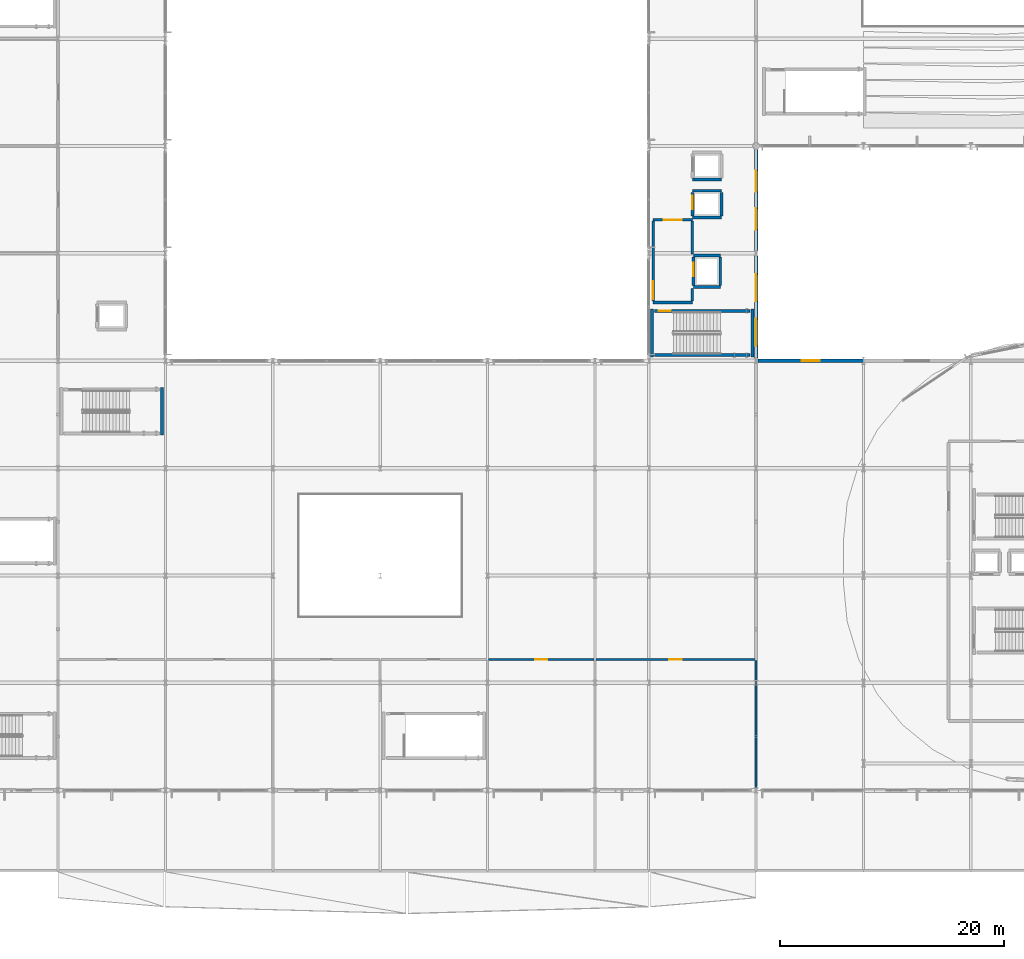
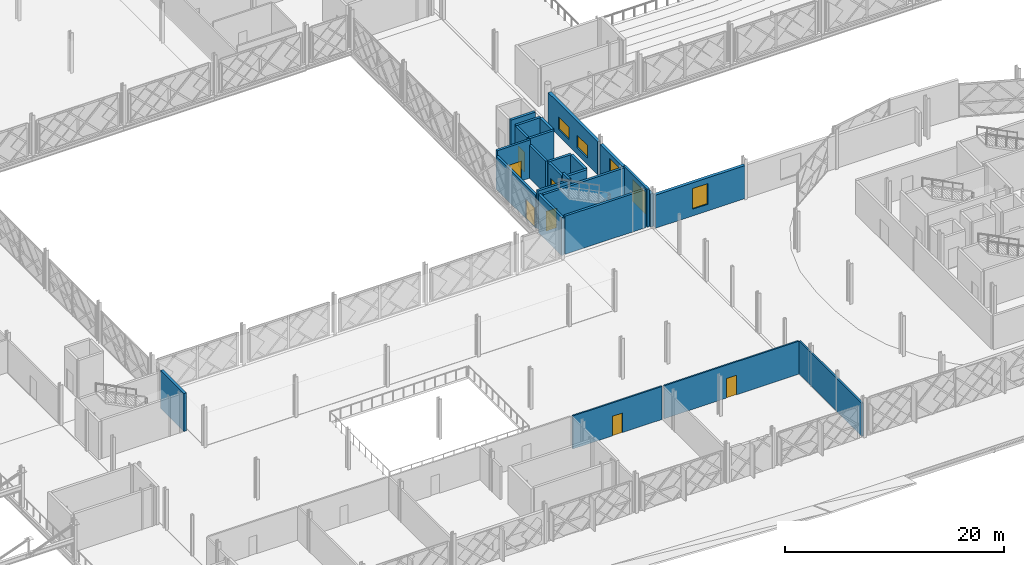
# One storey, part 67 of 101: 25 walls, 7 doors, 5 windows, 12 openings.
"""IFC4 building model written with IfcOpenShell, lengths in metres."""

from ifc_helpers import new_model, si_unit, direction, frame, frame_2d, origin, place, context, subcontext, project, spatial, rectangle, extrude, material, layer, layer_set, type_object, element, fill, save


model = new_model("IFC4")

# Units and contexts
model_context = context("Model", 3, precision=1e-05, world=origin(), true_north=direction((0.0, 1.0)))
body_context = subcontext(model_context, "Body", "Model", "MODEL_VIEW")
ifc_project = project(units=[si_unit("LENGTHUNIT", "METRE"), si_unit("AREAUNIT", "SQUARE_METRE"), si_unit("VOLUMEUNIT", "CUBIC_METRE"), si_unit("PLANEANGLEUNIT", "RADIAN"), si_unit("MASSUNIT", "GRAM", prefix="KILO")], contexts=[model_context])

# Site, building, storey
site_placement = place(None, origin())
site = spatial("IfcSite", under=ifc_project, at=site_placement, CompositionType="ELEMENT")
building_placement = place(site_placement, origin())
building = spatial("IfcBuilding", under=site, at=building_placement, Name="Zevrakil Square Congress Hotel", CompositionType="ELEMENT")
storey_placement = place(building_placement, frame((0.0, 0.0, 5.39990234375)))
storey = spatial("IfcBuildingStorey", under=building, at=storey_placement, Name="L02", CompositionType="ELEMENT", Elevation=5.39990234375)

# Wall
ifc_material_1 = material(Name="Concrete C35/45", Category="concrete")
ifc_layer_1 = layer(ifc_material_1, 0.239990234375)
ifc_layer_set_1 = layer_set([ifc_layer_1], Name="Concrete C35/45")
wall_type_1 = type_object("IfcWallType", Name="WAL-COMP-240", PredefinedType="SOLIDWALL", material=ifc_layer_set_1)
wall_1_placement = place(storey_placement, frame((108.39990234375, 50.800048828125, 0.0), z_axis=(0.0, 0.0, 1.0), x_axis=(1.0, 0.0, 0.0)))
element("IfcWall", 1, at=wall_1_placement, inside=storey, type_object=wall_type_1, Name="L02 interior partition PW-L02-0058", PredefinedType="SOLIDWALL", context=body_context, shape_type="SweptSolid", body=[
    extrude(rectangle(XDim=3.5, YDim=0.239990234375, at=frame_2d((1.75, 0.0))), origin(), (0.0, 0.0, 1.0), 4.239990234375),
])

# Wall, opening, door
wall_2_placement = place(storey_placement, frame((108.39990234375, 50.925048828125, 0.0), z_axis=(0.0, 0.0, 1.0), x_axis=(0.0, 1.0, 0.0)))
wall_2 = element("IfcWall", 2, at=wall_2_placement, inside=storey, type_object=wall_type_1, Name="L02 interior partition PW-L02-0059", PredefinedType="SOLIDWALL", context=body_context, shape_type="SweptSolid", body=[
    extrude(rectangle(XDim=7.14990234375, YDim=0.239990234375, at=frame_2d((3.574951171875, 0.0))), origin(), (0.0, 0.0, 1.0), 3.68505859375),
])
opening_1_placement = place(wall_2_placement, frame((0.159912109375, 0.0, 0.0)))
opening_1 = element("IfcOpeningElement", 3, at=opening_1_placement, cuts=wall_2, Name="Opening FD90-D", PredefinedType="OPENING", context=body_context, shape_type="SweptSolid", body=[
    extrude(rectangle(XDim=1.60009765625, YDim=2.199951171875, at=frame_2d((0.800048828125, 1.10009765625))), frame((0.0, 0.1298828125, 0.0), z_axis=(0.0, -1.0, 0.0), x_axis=(1.0, 0.0, 0.0)), (0.0, 0.0, 1.0), 0.260009765625),
])
ifc_material_2 = material(Name="Steel S355 Double Fire Door", Category="steel")
door_type_1 = type_object("IfcDoorType", Name="DOR-FFLOB-FD90-160", OperationType="NOTDEFINED", PredefinedType="DOOR", material=ifc_material_2)
door_1_placement = place(opening_1_placement, origin())
door_1 = element("IfcDoor", 4, at=door_1_placement, inside=storey, type_object=door_type_1, Name="L02 interior door 20", OperationType="DOUBLE_DOOR_SINGLE_SWING", OverallHeight=2.199951171875, OverallWidth=1.60009765625, PredefinedType="DOOR", context=body_context, shape_type="SweptSolid", body=[
    extrude(rectangle(XDim=1.60009765625, YDim=2.199951171875, at=frame_2d((0.800048828125, 1.10009765625))), frame((0.0, 0.02490234375, 0.0), z_axis=(0.0, -1.0, 0.0), x_axis=(1.0, 0.0, 0.0)), (0.0, 0.0, 1.0), 0.050048828125),
])
fill(opening_1, door_1)

wall_3_placement = place(storey_placement, frame((108.39990234375, 58.199951171875, 0.0), z_axis=(0.0, 0.0, 1.0), x_axis=(1.0, 0.0, 0.0)))
wall_3 = element("IfcWall", 5, at=wall_3_placement, inside=storey, type_object=wall_type_1, Name="L02 interior partition PW-L02-0060", PredefinedType="SOLIDWALL", context=body_context, shape_type="SweptSolid", body=[
    extrude(rectangle(XDim=3.5, YDim=0.239990234375, at=frame_2d((1.75, 0.0))), origin(), (0.0, 0.0, 1.0), 4.239990234375),
])
opening_2_placement = place(wall_3_placement, frame((0.949951171875, 0.0, 0.0)))
opening_2 = element("IfcOpeningElement", 6, at=opening_2_placement, cuts=wall_3, Name="Opening FD90-D", PredefinedType="OPENING", context=body_context, shape_type="SweptSolid", body=[
    extrude(rectangle(XDim=1.60009765625, YDim=2.199951171875, at=frame_2d((0.800048828125, 1.10009765625))), frame((0.0, 0.1298828125, 0.0), z_axis=(0.0, -1.0, 0.0), x_axis=(1.0, 0.0, 0.0)), (0.0, 0.0, 1.0), 0.260009765625),
])
door_2_placement = place(opening_2_placement, origin())
door_2 = element("IfcDoor", 7, at=door_2_placement, inside=storey, type_object=door_type_1, Name="L02 interior door 21", OperationType="DOUBLE_DOOR_SINGLE_SWING", OverallHeight=2.199951171875, OverallWidth=1.60009765625, PredefinedType="DOOR", context=body_context, shape_type="SweptSolid", body=[
    extrude(rectangle(XDim=1.60009765625, YDim=2.199951171875, at=frame_2d((0.800048828125, 1.10009765625))), frame((0.0, 0.02490234375, 0.0), z_axis=(0.0, -1.0, 0.0), x_axis=(1.0, 0.0, 0.0)), (0.0, 0.0, 1.0), 0.050048828125),
])
fill(opening_2, door_2)

# Walls
wall_4_placement = place(storey_placement, frame((111.89990234375, 50.925048828125, 0.0), z_axis=(0.0, 0.0, 1.0), x_axis=(0.0, 1.0, 0.0)))
element("IfcWall", 8, at=wall_4_placement, inside=storey, type_object=wall_type_1, Name="L02 interior partition PW-L02-0061", PredefinedType="SOLIDWALL", context=body_context, shape_type="SweptSolid", body=[
    extrude(rectangle(XDim=1.155029296875, YDim=0.239990234375, at=frame_2d((0.57763671875, 0.0))), origin(), (0.0, 0.0, 1.0), 4.239990234375),
])
wall_5_placement = place(storey_placement, frame((111.89990234375, 55.1201171875, 0.0), z_axis=(0.0, 0.0, 1.0), x_axis=(0.0, 1.0, 0.0)))
element("IfcWall", 9, at=wall_5_placement, inside=storey, type_object=wall_type_1, Name="L02 interior partition PW-L02-0062", PredefinedType="SOLIDWALL", context=body_context, shape_type="SweptSolid", body=[
    extrude(rectangle(XDim=2.954833984375, YDim=0.239990234375, at=frame_2d((1.4775390625, 0.0))), origin(), (0.0, 0.0, 1.0), 3.68505859375),
])

# Wall, opening, door
ifc_material_3 = material(Name="Gypsum Acoustic Stud Partition")
ifc_layer_2 = layer(ifc_material_3, 0.159912109375)
ifc_layer_set_2 = layer_set([ifc_layer_2], Name="Gypsum Acoustic Stud Partition")
wall_type_2 = type_object("IfcWallType", Name="WAL-CORR-160", PredefinedType="PARTITIONING", material=ifc_layer_set_2)
wall_6_placement = place(storey_placement, frame((93.699951171875, 18.89990234375, 0.0), z_axis=(0.0, 0.0, 1.0), x_axis=(1.0, 0.0, 0.0)))
wall_6 = element("IfcWall", 10, at=wall_6_placement, inside=storey, type_object=wall_type_2, Name="L02 interior partition PW-L02-0175", PredefinedType="PARTITIONING", context=body_context, shape_type="SweptSolid", body=[
    extrude(rectangle(XDim=9.400146484375, YDim=0.159912109375, at=frame_2d((4.7001953125, 0.0))), origin(), (0.0, 0.0, 1.0), 3.675048828125),
])
opening_3_placement = place(wall_6_placement, frame((4.179931640625, 0.0, 0.0)))
opening_3 = element("IfcOpeningElement", 11, at=opening_3_placement, cuts=wall_6, Name="Opening ID-15", PredefinedType="OPENING", context=body_context, shape_type="SweptSolid", body=[
    extrude(rectangle(XDim=1.0400390625, YDim=2.179931640625, at=frame_2d((0.52001953125, 1.08984375))), frame((0.0, 0.08984375, 0.0), z_axis=(0.0, -1.0, 0.0), x_axis=(1.0, 0.0, 0.0)), (0.0, 0.0, 1.0), 0.179931640625),
])
ifc_material_4 = material(Name="Acoustic Timber Fire Door", Category="wood")
door_type_2 = type_object("IfcDoorType", Name="DOR-INT-V05", OperationType="NOTDEFINED", PredefinedType="DOOR", material=ifc_material_4)
door_3_placement = place(opening_3_placement, origin())
door_3 = element("IfcDoor", 12, at=door_3_placement, inside=storey, type_object=door_type_2, Name="L02 interior door 73", OperationType="SINGLE_SWING_LEFT", OverallHeight=2.179931640625, OverallWidth=1.0400390625, PredefinedType="DOOR", context=body_context, shape_type="SweptSolid", body=[
    extrude(rectangle(XDim=1.0400390625, YDim=2.179931640625, at=frame_2d((0.52001953125, 1.08984375))), frame((0.0, 0.02490234375, 0.0), z_axis=(0.0, -1.0, 0.0), x_axis=(1.0, 0.0, 0.0)), (0.0, 0.0, 1.0), 0.050048828125),
])
fill(opening_3, door_3)

wall_7_placement = place(storey_placement, frame((103.300048828125, 18.89990234375, 0.0), z_axis=(0.0, 0.0, 1.0), x_axis=(1.0, 0.0, 0.0)))
wall_7 = element("IfcWall", 13, at=wall_7_placement, inside=storey, type_object=wall_type_2, Name="L02 interior partition PW-L02-0177", PredefinedType="PARTITIONING", context=body_context, shape_type="SweptSolid", body=[
    extrude(rectangle(XDim=14.199951171875, YDim=0.159912109375, at=frame_2d((7.10009765625, 0.0))), origin(), (0.0, 0.0, 1.0), 3.675048828125),
])
opening_4_placement = place(wall_7_placement, frame((6.56005859375, 0.0, 0.0)))
opening_4 = element("IfcOpeningElement", 14, at=opening_4_placement, cuts=wall_7, Name="Opening ID-16", PredefinedType="OPENING", context=body_context, shape_type="SweptSolid", body=[
    extrude(rectangle(XDim=1.080078125, YDim=2.179931640625, at=frame_2d((0.5400390625, 1.08984375))), frame((0.0, 0.08984375, 0.0), z_axis=(0.0, -1.0, 0.0), x_axis=(1.0, 0.0, 0.0)), (0.0, 0.0, 1.0), 0.179931640625),
])
ifc_material_5 = material(Name="Acoustic Timber Fire Door", Category="wood")
door_type_3 = type_object("IfcDoorType", Name="DOR-INT-V06", OperationType="NOTDEFINED", PredefinedType="DOOR", material=ifc_material_5)
door_4_placement = place(opening_4_placement, origin())
door_4 = element("IfcDoor", 15, at=door_4_placement, inside=storey, type_object=door_type_3, Name="L02 interior door 74", OperationType="SINGLE_SWING_RIGHT", OverallHeight=2.179931640625, OverallWidth=1.080078125, PredefinedType="DOOR", context=body_context, shape_type="SweptSolid", body=[
    extrude(rectangle(XDim=1.080078125, YDim=2.179931640625, at=frame_2d((0.5400390625, 1.08984375))), frame((0.0, 0.02490234375, 0.0), z_axis=(0.0, -1.0, 0.0), x_axis=(1.0, 0.0, 0.0)), (0.0, 0.0, 1.0), 0.050048828125),
])
fill(opening_4, door_4)

# Wall, opening, window
ifc_material_6 = material(Name="Precast concrete C40/50", Category="concrete")
ifc_layer_3 = layer(ifc_material_6, 0.320068359375)
ifc_layer_set_3 = layer_set([ifc_layer_3], Name="Precast concrete C40/50")
wall_type_3 = type_object("IfcWallType", Name="WAL-EXT-GRC-320", PredefinedType="SOLIDWALL", material=ifc_layer_set_3)
wall_8_placement = place(storey_placement, frame((117.75390625, 45.60009765625, 0.0), z_axis=(0.0, 0.0, 1.0), x_axis=(1.0, 0.0, 0.0)))
wall_8 = element("IfcWall", 16, at=wall_8_placement, inside=storey, type_object=wall_type_3, Name="L02 exterior GRC wall EW-L02-0094", PredefinedType="SOLIDWALL", context=body_context, shape_type="SweptSolid", body=[
    extrude(rectangle(XDim=9.443115234375, YDim=0.320068359375, at=frame_2d((4.7216796875, 0.0))), origin(), (0.0, 0.0, 1.0), 3.68505859375),
])
opening_5_placement = place(wall_8_placement, frame((3.92138671875, 0.0, 0.75)))
opening_5 = element("IfcOpeningElement", 17, at=opening_5_placement, cuts=wall_8, Name="Opening WN-37", PredefinedType="OPENING", context=body_context, shape_type="SweptSolid", body=[
    extrude(rectangle(XDim=1.60009765625, YDim=2.300048828125, at=frame_2d((0.800048828125, 1.14990234375))), frame((0.0, 0.169921875, 0.0), z_axis=(0.0, -1.0, 0.0), x_axis=(1.0, 0.0, 0.0)), (0.0, 0.0, 1.0), 0.340087890625),
])
ifc_material_7 = material(Name="Low-E Solar Control Double Glazing", Category="glass")
window_type_1 = type_object("IfcWindowType", Name="WIN-EXT-37", PartitioningType="SINGLE_PANEL", PredefinedType="WINDOW", material=ifc_material_7)
window_1_placement = place(opening_5_placement, origin())
window_1 = element("IfcWindow", 18, at=window_1_placement, inside=storey, type_object=window_type_1, Name="L02 low-E solar window 81", OverallHeight=2.300048828125, OverallWidth=1.60009765625, PartitioningType="SINGLE_PANEL", PredefinedType="WINDOW", context=body_context, shape_type="SweptSolid", body=[
    extrude(rectangle(XDim=1.60009765625, YDim=2.300048828125, at=frame_2d((0.800048828125, 1.14990234375))), frame((0.0, 0.030029296875, 0.0), z_axis=(0.0, -1.0, 0.0), x_axis=(1.0, 0.0, 0.0)), (0.0, 0.0, 1.0), 0.06005859375),
])
fill(opening_5, window_1)

# Wall, openings, windows
wall_9_placement = place(storey_placement, frame((117.60009765625, 45.8291015625, 0.0), z_axis=(0.0, 0.0, 1.0), x_axis=(0.0, 1.0, 0.0)))
wall_9 = element("IfcWall", 19, at=wall_9_placement, inside=storey, type_object=wall_type_3, Name="L02 exterior GRC wall EW-L02-0107", PredefinedType="SOLIDWALL", context=body_context, shape_type="SweptSolid", body=[
    extrude(rectangle(XDim=9.141845703125, YDim=0.320068359375, at=frame_2d((4.57080078125, 0.0))), origin(), (0.0, 0.0, 1.0), 3.675048828125),
])
opening_6_placement = place(wall_9_placement, frame((1.110595703125, 0.0, 0.75)))
opening_6 = element("IfcOpeningElement", 20, at=opening_6_placement, cuts=wall_9, Name="Opening WN-43", PredefinedType="OPENING", context=body_context, shape_type="SweptSolid", body=[
    extrude(rectangle(XDim=2.39990234375, YDim=2.39990234375, at=frame_2d((1.199951171875, 1.199951171875))), frame((0.0, 0.169921875, 0.0), z_axis=(0.0, -1.0, 0.0), x_axis=(1.0, 0.0, 0.0)), (0.0, 0.0, 1.0), 0.340087890625),
])
opening_7_placement = place(wall_9_placement, frame((5.08154296875, 0.0, 0.75)))
opening_7 = element("IfcOpeningElement", 21, at=opening_7_placement, cuts=wall_9, Name="Opening WN-43", PredefinedType="OPENING", context=body_context, shape_type="SweptSolid", body=[
    extrude(rectangle(XDim=2.39990234375, YDim=2.39990234375, at=frame_2d((1.199951171875, 1.199951171875))), frame((0.0, 0.169921875, 0.0), z_axis=(0.0, -1.0, 0.0), x_axis=(1.0, 0.0, 0.0)), (0.0, 0.0, 1.0), 0.340087890625),
])
ifc_material_8 = material(Name="Low-E Solar Control Double Glazing", Category="glass")
window_type_2 = type_object("IfcWindowType", Name="WIN-EXT-43", PartitioningType="SINGLE_PANEL", PredefinedType="WINDOW", material=ifc_material_8)
window_2_placement = place(opening_6_placement, origin())
window_2 = element("IfcWindow", 22, at=window_2_placement, inside=storey, type_object=window_type_2, Name="L02 low-E solar window 87", OverallHeight=2.39990234375, OverallWidth=2.39990234375, PartitioningType="SINGLE_PANEL", PredefinedType="WINDOW", context=body_context, shape_type="SweptSolid", body=[
    extrude(rectangle(XDim=2.39990234375, YDim=2.39990234375, at=frame_2d((1.199951171875, 1.199951171875))), frame((0.0, 0.030029296875, 0.0), z_axis=(0.0, -1.0, 0.0), x_axis=(1.0, 0.0, 0.0)), (0.0, 0.0, 1.0), 0.06005859375),
])
fill(opening_6, window_2)
window_3_placement = place(opening_7_placement, origin())
window_3 = element("IfcWindow", 23, at=window_3_placement, inside=storey, type_object=window_type_2, Name="L02 low-E solar window 88", OverallHeight=2.39990234375, OverallWidth=2.39990234375, PartitioningType="SINGLE_PANEL", PredefinedType="WINDOW", context=body_context, shape_type="SweptSolid", body=[
    extrude(rectangle(XDim=2.39990234375, YDim=2.39990234375, at=frame_2d((1.199951171875, 1.199951171875))), frame((0.0, 0.030029296875, 0.0), z_axis=(0.0, -1.0, 0.0), x_axis=(1.0, 0.0, 0.0)), (0.0, 0.0, 1.0), 0.06005859375),
])
fill(opening_7, window_3)

wall_10_placement = place(storey_placement, frame((117.60009765625, 55.428955078125, 0.0), z_axis=(0.0, 0.0, 1.0), x_axis=(0.0, 1.0, 0.0)))
wall_10 = element("IfcWall", 24, at=wall_10_placement, inside=storey, type_object=wall_type_3, Name="L02 exterior GRC wall EW-L02-0110", PredefinedType="SOLIDWALL", context=body_context, shape_type="SweptSolid", body=[
    extrude(rectangle(XDim=9.06201171875, YDim=0.320068359375, at=frame_2d((4.531005859375, 0.0))), origin(), (0.0, 0.0, 1.0), 3.675048828125),
])
opening_8_placement = place(wall_10_placement, frame((1.890380859375, 0.0, 0.75)))
opening_8 = element("IfcOpeningElement", 25, at=opening_8_placement, cuts=wall_10, Name="Opening WN-05", PredefinedType="OPENING", context=body_context, shape_type="SweptSolid", body=[
    extrude(rectangle(XDim=1.89990234375, YDim=1.39990234375, at=frame_2d((0.949951171875, 0.699951171875))), frame((0.0, 0.169921875, 0.0), z_axis=(0.0, -1.0, 0.0), x_axis=(1.0, 0.0, 0.0)), (0.0, 0.0, 1.0), 0.340087890625),
])
opening_9_placement = place(wall_10_placement, frame((5.271484375, 0.0, 0.75)))
opening_9 = element("IfcOpeningElement", 26, at=opening_9_placement, cuts=wall_10, Name="Opening WN-05", PredefinedType="OPENING", context=body_context, shape_type="SweptSolid", body=[
    extrude(rectangle(XDim=1.89990234375, YDim=1.39990234375, at=frame_2d((0.949951171875, 0.699951171875))), frame((0.0, 0.169921875, 0.0), z_axis=(0.0, -1.0, 0.0), x_axis=(1.0, 0.0, 0.0)), (0.0, 0.0, 1.0), 0.340087890625),
])
ifc_material_9 = material(Name="Low-E Solar Control Double Glazing", Category="glass")
window_type_3 = type_object("IfcWindowType", Name="WIN-EXT-05", PartitioningType="SINGLE_PANEL", PredefinedType="WINDOW", material=ifc_material_9)
window_4_placement = place(opening_8_placement, origin())
window_4 = element("IfcWindow", 27, at=window_4_placement, inside=storey, type_object=window_type_3, Name="L02 low-E solar window 93", OverallHeight=1.39990234375, OverallWidth=1.89990234375, PartitioningType="SINGLE_PANEL", PredefinedType="WINDOW", context=body_context, shape_type="SweptSolid", body=[
    extrude(rectangle(XDim=1.89990234375, YDim=1.39990234375, at=frame_2d((0.949951171875, 0.699951171875))), frame((0.0, 0.030029296875, 0.0), z_axis=(0.0, -1.0, 0.0), x_axis=(1.0, 0.0, 0.0)), (0.0, 0.0, 1.0), 0.06005859375),
])
fill(opening_8, window_4)
window_5_placement = place(opening_9_placement, origin())
window_5 = element("IfcWindow", 28, at=window_5_placement, inside=storey, type_object=window_type_3, Name="L02 low-E solar window 94", OverallHeight=1.39990234375, OverallWidth=1.89990234375, PartitioningType="SINGLE_PANEL", PredefinedType="WINDOW", context=body_context, shape_type="SweptSolid", body=[
    extrude(rectangle(XDim=1.89990234375, YDim=1.39990234375, at=frame_2d((0.949951171875, 0.699951171875))), frame((0.0, 0.030029296875, 0.0), z_axis=(0.0, -1.0, 0.0), x_axis=(1.0, 0.0, 0.0)), (0.0, 0.0, 1.0), 0.06005859375),
])
fill(opening_9, window_5)

# Walls
ifc_material_10 = material(Name="Gypsum Twin-Stud Party Partition")
ifc_layer_4 = layer(ifc_material_10, 0.179931640625)
ifc_layer_set_4 = layer_set([ifc_layer_4], Name="Gypsum Twin-Stud Party Partition")
wall_type_4 = type_object("IfcWallType", Name="WAL-PARTY-180", PredefinedType="PARTITIONING", material=ifc_layer_set_4)
wall_11_placement = place(storey_placement, frame((117.60009765625, 7.39990234375, 0.0), z_axis=(0.0, 0.0, 1.0), x_axis=(0.0, 1.0, 0.0)))
element("IfcWall", 29, at=wall_11_placement, inside=storey, type_object=wall_type_4, Name="L02 interior partition PW-L02-0179", PredefinedType="PARTITIONING", context=body_context, shape_type="SweptSolid", body=[
    extrude(rectangle(XDim=11.41015625, YDim=0.179931640625, at=frame_2d((5.705078125, 0.0))), origin(), (0.0, 0.0, 1.0), 3.68505859375),
])
ifc_material_11 = material(Name="Concrete C40/50", Category="concrete")
ifc_layer_5 = layer(ifc_material_11, 0.260009765625)
ifc_layer_set_5 = layer_set([ifc_layer_5], Name="Concrete C40/50")
wall_type_5 = type_object("IfcWallType", Name="WAL-SHAFT-260", PredefinedType="SHEAR", material=ifc_layer_set_5)
for number, where, z_axis, x_axis, name in (
    (30, (64.4951171875, 38.93994140625, 0.0), (0.0, 0.0, 1.0), (0.0, 1.0, 0.0), "L02 ST04 stair shaft E wall"),
    (31, (108.304931640625, 45.93994140625, 0.0), (0.0, 0.0, 1.0), (0.0, 1.0, 0.0), "L02 ST07 stair shaft W wall"),
    (32, (117.294921875, 45.93994140625, 0.0), (0.0, 0.0, 1.0), (0.0, 1.0, 0.0), "L02 ST07 stair shaft E wall"),
):
    element("IfcWall", number, at=place(storey_placement, frame(where, z_axis=z_axis, x_axis=x_axis)), inside=storey, type_object=wall_type_5, Name=name, PredefinedType="SHEAR", context=body_context, shape_type="SweptSolid", body=[
        extrude(rectangle(XDim=4.27001953125, YDim=0.260009765625, at=frame_2d((2.135009765625, 0.0))), origin(), (0.0, 0.0, 1.0), 4.239990234375),
    ])
wall_12_placement = place(storey_placement, frame((108.5400390625, 46.10498046875, 0.0), z_axis=(0.0, 0.0, 1.0), x_axis=(1.0, 0.0, 0.0)))
element("IfcWall", 33, at=wall_12_placement, inside=storey, type_object=wall_type_5, Name="L02 ST07 stair shaft S wall", PredefinedType="SHEAR", context=body_context, shape_type="SweptSolid", body=[
    extrude(rectangle(XDim=8.52001953125, YDim=0.260009765625, at=frame_2d((4.260009765625, 0.0))), origin(), (0.0, 0.0, 1.0), 4.239990234375),
])

# Wall, opening, door
wall_13_placement = place(storey_placement, frame((108.5400390625, 50.044921875, 0.0), z_axis=(0.0, 0.0, 1.0), x_axis=(1.0, 0.0, 0.0)))
wall_13 = element("IfcWall", 34, at=wall_13_placement, inside=storey, type_object=wall_type_5, Name="L02 ST07 stair shaft N wall", PredefinedType="SHEAR", context=body_context, shape_type="SweptSolid", body=[
    extrude(rectangle(XDim=8.52001953125, YDim=0.260009765625, at=frame_2d((4.260009765625, 0.0))), origin(), (0.0, 0.0, 1.0), 4.239990234375),
])
opening_10_placement = place(wall_13_placement, frame((0.35009765625, 0.0, 0.0)))
opening_10 = element("IfcOpeningElement", 35, at=opening_10_placement, cuts=wall_13, Name="Opening SD-ST07", PredefinedType="OPENING", context=body_context, shape_type="SweptSolid", body=[
    extrude(rectangle(XDim=1.10009765625, YDim=2.199951171875, at=frame_2d((0.550048828125, 1.10009765625))), frame((0.0, 0.14013671875, 0.0), z_axis=(0.0, -1.0, 0.0), x_axis=(1.0, 0.0, 0.0)), (0.0, 0.0, 1.0), 0.280029296875),
])
ifc_material_12 = material(Name="Steel S355 Fire-Rated Door", Category="steel")
door_type_4 = type_object("IfcDoorType", Name="DOR-STAIR-FD90-110", OperationType="NOTDEFINED", PredefinedType="DOOR", material=ifc_material_12)
door_5_placement = place(opening_10_placement, origin())
door_5 = element("IfcDoor", 36, at=door_5_placement, inside=storey, type_object=door_type_4, Name="L02 ST07 protected stair fire door", OperationType="SINGLE_SWING_LEFT", OverallHeight=2.199951171875, OverallWidth=1.10009765625, PredefinedType="DOOR", context=body_context, shape_type="SweptSolid", body=[
    extrude(rectangle(XDim=1.10009765625, YDim=2.199951171875, at=frame_2d((0.550048828125, 1.10009765625))), frame((0.0, 0.02490234375, 0.0), z_axis=(0.0, -1.0, 0.0), x_axis=(1.0, 0.0, 0.0)), (0.0, 0.0, 1.0), 0.050048828125),
])
fill(opening_10, door_5)

# Walls
for number, where, z_axis, x_axis, name in (
    (37, (112.0, 52.199951171875, 0.0), (0.0, 0.0, 1.0), (1.0, 0.0, 0.0), "L02 FFL2 lift shaft wall"),
    (38, (112.0, 55.0, 0.0), (0.0, 0.0, 1.0), (1.0, 0.0, 0.0), "L02 FFL2 lift shaft wall"),
):
    element("IfcWall", number, at=place(storey_placement, frame(where, z_axis=z_axis, x_axis=x_axis)), inside=storey, type_object=wall_type_5, Name=name, PredefinedType="SHEAR", context=body_context, shape_type="SweptSolid", body=[
        extrude(rectangle(XDim=2.39990234375, YDim=0.260009765625, at=frame_2d((1.199951171875, 0.0))), origin(), (0.0, 0.0, 1.0), 3.68505859375),
    ])

# Wall, opening, door
wall_14_placement = place(storey_placement, frame((112.0, 52.340087890625, 0.0), z_axis=(0.0, 0.0, 1.0), x_axis=(0.0, 1.0, 0.0)))
wall_14 = element("IfcWall", 39, at=wall_14_placement, inside=storey, type_object=wall_type_5, Name="L02 FFL2 lift shaft wall", PredefinedType="SHEAR", context=body_context, shape_type="SweptSolid", body=[
    extrude(rectangle(XDim=2.52001953125, YDim=0.260009765625, at=frame_2d((1.260009765625, 0.0))), origin(), (0.0, 0.0, 1.0), 3.68505859375),
])
opening_11_placement = place(wall_14_placement, frame((0.800048828125, 0.0, 0.0)))
opening_11 = element("IfcOpeningElement", 40, at=opening_11_placement, cuts=wall_14, Name="Opening LD-FFL2", PredefinedType="OPENING", context=body_context, shape_type="SweptSolid", body=[
    extrude(rectangle(XDim=1.199951171875, YDim=2.199951171875, at=frame_2d((0.60009765625, 1.10009765625))), frame((0.0, 0.14013671875, 0.0), z_axis=(0.0, -1.0, 0.0), x_axis=(1.0, 0.0, 0.0)), (0.0, 0.0, 1.0), 0.280029296875),
])
ifc_material_13 = material(Name="Stainless Steel Sliding Lift Landing Door", Category="steel")
door_type_5 = type_object("IfcDoorType", Name="DOR-LIFT-LD120", OperationType="NOTDEFINED", PredefinedType="DOOR", material=ifc_material_13)
door_6_placement = place(opening_11_placement, origin())
door_6 = element("IfcDoor", 41, at=door_6_placement, inside=storey, type_object=door_type_5, Name="L02 FFL2 sliding lift landing door", OperationType="SLIDING_TO_LEFT", OverallHeight=2.199951171875, OverallWidth=1.199951171875, PredefinedType="DOOR", context=body_context, shape_type="SweptSolid", body=[
    extrude(rectangle(XDim=1.199951171875, YDim=2.199951171875, at=frame_2d((0.60009765625, 1.10009765625))), frame((0.0, 0.02490234375, 0.0), z_axis=(0.0, -1.0, 0.0), x_axis=(1.0, 0.0, 0.0)), (0.0, 0.0, 1.0), 0.050048828125),
])
fill(opening_11, door_6)

# Walls
wall_15_placement = place(storey_placement, frame((114.39990234375, 52.340087890625, 0.0), z_axis=(0.0, 0.0, 1.0), x_axis=(0.0, 1.0, 0.0)))
element("IfcWall", 42, at=wall_15_placement, inside=storey, type_object=wall_type_5, Name="L02 FFL2 lift shaft wall", PredefinedType="SHEAR", context=body_context, shape_type="SweptSolid", body=[
    extrude(rectangle(XDim=2.52001953125, YDim=0.260009765625, at=frame_2d((1.260009765625, 0.0))), origin(), (0.0, 0.0, 1.0), 3.68505859375),
])
for number, where, z_axis, x_axis, name in (
    (43, (111.89990234375, 58.39990234375, 0.0), (0.0, 0.0, 1.0), (1.0, 0.0, 0.0), "L02 CL1 lift shaft wall"),
    (44, (111.89990234375, 60.800048828125, 0.0), (0.0, 0.0, 1.0), (1.0, 0.0, 0.0), "L02 CL1 lift shaft wall"),
):
    element("IfcWall", number, at=place(storey_placement, frame(where, z_axis=z_axis, x_axis=x_axis)), inside=storey, type_object=wall_type_5, Name=name, PredefinedType="SHEAR", context=body_context, shape_type="SweptSolid", body=[
        extrude(rectangle(XDim=2.60009765625, YDim=0.260009765625, at=frame_2d((1.300048828125, 0.0))), origin(), (0.0, 0.0, 1.0), 4.239990234375),
    ])

# Wall, opening, door
wall_16_placement = place(storey_placement, frame((111.89990234375, 58.5400390625, 0.0), z_axis=(0.0, 0.0, 1.0), x_axis=(0.0, 1.0, 0.0)))
wall_16 = element("IfcWall", 45, at=wall_16_placement, inside=storey, type_object=wall_type_5, Name="L02 CL1 lift shaft wall", PredefinedType="SHEAR", context=body_context, shape_type="SweptSolid", body=[
    extrude(rectangle(XDim=2.119873046875, YDim=0.260009765625, at=frame_2d((1.06005859375, 0.0))), origin(), (0.0, 0.0, 1.0), 4.239990234375),
])
opening_12_placement = place(wall_16_placement, frame((0.60009765625, 0.0, 0.0)))
opening_12 = element("IfcOpeningElement", 46, at=opening_12_placement, cuts=wall_16, Name="Opening LD-CL1", PredefinedType="OPENING", context=body_context, shape_type="SweptSolid", body=[
    extrude(rectangle(XDim=1.199951171875, YDim=2.199951171875, at=frame_2d((0.60009765625, 1.10009765625))), frame((0.0, 0.14013671875, 0.0), z_axis=(0.0, -1.0, 0.0), x_axis=(1.0, 0.0, 0.0)), (0.0, 0.0, 1.0), 0.280029296875),
])
door_7_placement = place(opening_12_placement, origin())
door_7 = element("IfcDoor", 47, at=door_7_placement, inside=storey, type_object=door_type_5, Name="L02 CL1 sliding lift landing door", OperationType="SLIDING_TO_RIGHT", OverallHeight=2.199951171875, OverallWidth=1.199951171875, PredefinedType="DOOR", context=body_context, shape_type="SweptSolid", body=[
    extrude(rectangle(XDim=1.199951171875, YDim=2.199951171875, at=frame_2d((0.60009765625, 1.10009765625))), frame((0.0, 0.02490234375, 0.0), z_axis=(0.0, -1.0, 0.0), x_axis=(1.0, 0.0, 0.0)), (0.0, 0.0, 1.0), 0.050048828125),
])
fill(opening_12, door_7)

# Walls
wall_17_placement = place(storey_placement, frame((114.5, 58.5400390625, 0.0), z_axis=(0.0, 0.0, 1.0), x_axis=(0.0, 1.0, 0.0)))
element("IfcWall", 48, at=wall_17_placement, inside=storey, type_object=wall_type_5, Name="L02 CL1 lift shaft wall", PredefinedType="SHEAR", context=body_context, shape_type="SweptSolid", body=[
    extrude(rectangle(XDim=2.119873046875, YDim=0.260009765625, at=frame_2d((1.06005859375, 0.0))), origin(), (0.0, 0.0, 1.0), 4.239990234375),
])
wall_18_placement = place(storey_placement, frame((111.89990234375, 61.800048828125, 0.0), z_axis=(0.0, 0.0, 1.0), x_axis=(1.0, 0.0, 0.0)))
element("IfcWall", 49, at=wall_18_placement, inside=storey, type_object=wall_type_5, Name="L02 CL2 lift shaft wall", PredefinedType="SHEAR", context=body_context, shape_type="SweptSolid", body=[
    extrude(rectangle(XDim=2.60009765625, YDim=0.260009765625, at=frame_2d((1.300048828125, 0.0))), origin(), (0.0, 0.0, 1.0), 4.239990234375),
])

save(model, "model.ifc")
